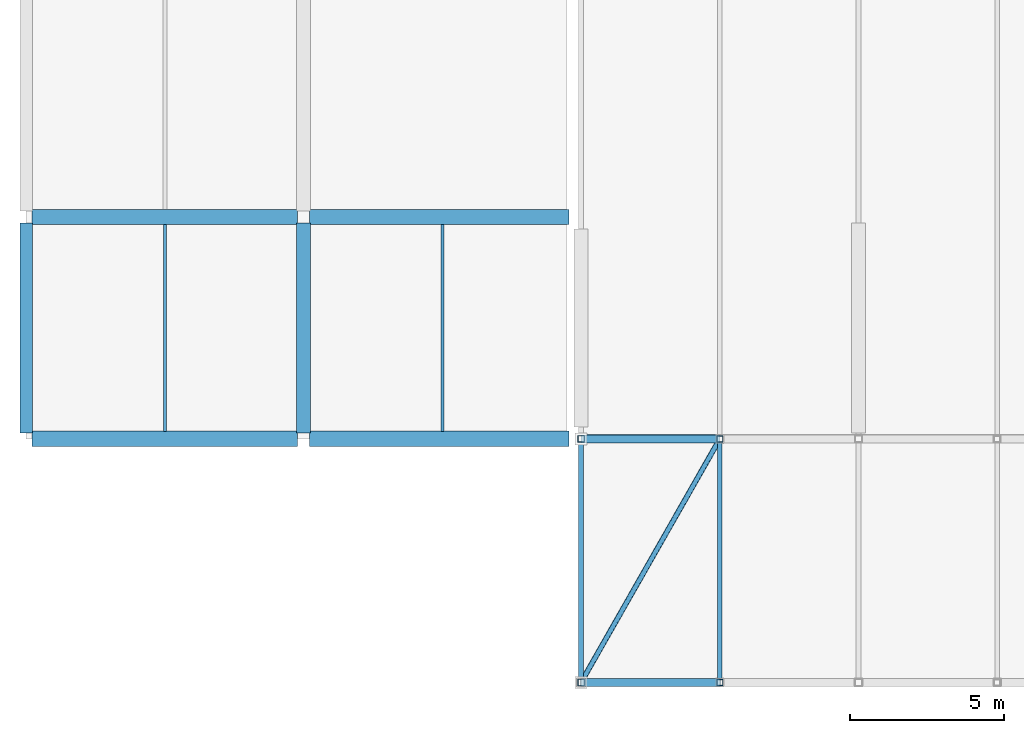
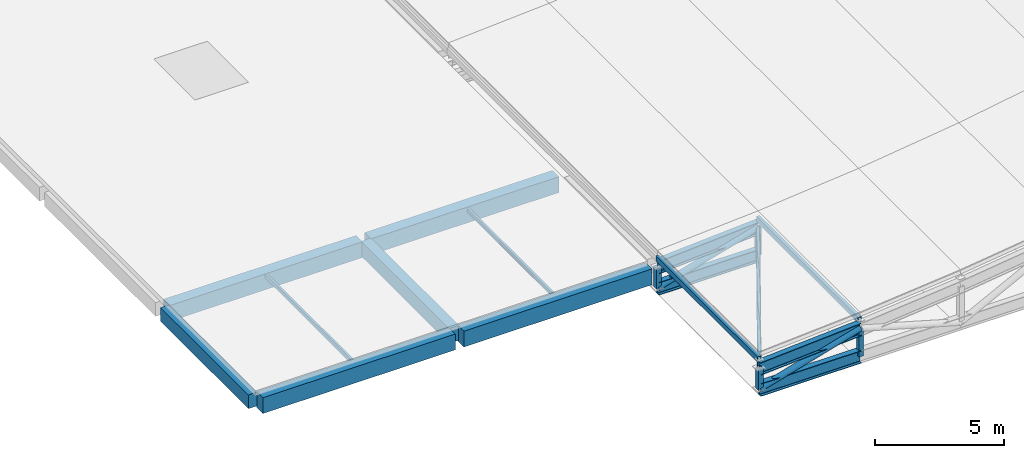
# One storey, part 1 of 24: 12 beams, 9 members.
"""IFC4 building model written with IfcOpenShell, lengths in metres."""

from ifc_helpers import new_model, si_unit, direction, frame, origin, origin_2d, place, context, subcontext, project, spatial, rectangle, hollow_rectangle, hollow_circle, i_section, extrude, material, material_profile, profile_set, type_object, element, save


model = new_model("IFC4")

# Units and contexts
model_context = context("Model", 3, precision=1e-05, world=origin(), true_north=direction((0.0, 1.0)))
body_context = subcontext(model_context, "Body", "Model", "MODEL_VIEW")
ifc_project = project(units=[si_unit("LENGTHUNIT", "METRE"), si_unit("AREAUNIT", "SQUARE_METRE"), si_unit("VOLUMEUNIT", "CUBIC_METRE"), si_unit("PLANEANGLEUNIT", "RADIAN"), si_unit("MASSUNIT", "GRAM", prefix="KILO"), si_unit("THERMODYNAMICTEMPERATUREUNIT", "KELVIN"), si_unit("POWERUNIT", "WATT")], contexts=[model_context])

# Site, building, storey
site_placement = place(None, origin())
site = spatial("IfcSite", under=ifc_project, at=site_placement, CompositionType="ELEMENT")
building_placement = place(site_placement, origin())
building = spatial("IfcBuilding", under=site, at=building_placement, Name="Sindhuravela Promenade Stadium", CompositionType="ELEMENT")
storey_placement = place(building_placement, frame((0.0, 0.0, 28.800048828125)))
storey = spatial("IfcBuildingStorey", under=building, at=storey_placement, Name="RF", CompositionType="ELEMENT", Elevation=28.800048828125)

# Beams
ifc_material_1 = material(Name="Concrete M40", Category="concrete")
ifc_material_profile_1 = material_profile(ifc_material_1, rectangle(XDim=0.39990234375, YDim=0.64990234375, at=origin_2d()), Name="RC 400x650")
ifc_profile_set_1 = profile_set([ifc_material_profile_1], Name="Concrete M40")
beam_type_1 = type_object("IfcBeamType", Name="RC-BM-400x650", PredefinedType="SPANDREL", material=ifc_profile_set_1)
beam_1_placement = place(storey_placement, frame((0.0, 45.193115234375, -0.56494140625), z_axis=(0.0, 1.0, 0.0), x_axis=(-1.0, 0.0, 0.0)))
element("IfcBeam", 1, at=beam_1_placement, inside=storey, type_object=beam_type_1, Name="Primary beam SP01 WEST RF", PredefinedType="SPANDREL", context=body_context, shape_type="SweptSolid", body=[
    extrude(rectangle(XDim=0.39990234375, YDim=0.64990234375, at=origin_2d()), origin(), (0.0, 0.0, 1.0), 6.813720703125),
])
ifc_material_profile_2 = material_profile(ifc_material_1, rectangle(XDim=0.449951171875, YDim=0.699951171875, at=origin_2d()), Name="RC 450x700")
ifc_profile_set_2 = profile_set([ifc_material_profile_2], Name="Concrete M40")
beam_type_2 = type_object("IfcBeamType", Name="RC-BM-450x700", PredefinedType="BEAM", material=ifc_profile_set_2)
beam_2_placement = place(storey_placement, frame((9.0, 45.193115234375, -0.590087890625), z_axis=(0.0, 1.0, 0.0), x_axis=(-1.0, 0.0, 0.0)))
element("IfcBeam", 2, at=beam_2_placement, inside=storey, type_object=beam_type_2, Name="Primary beam GB07 WEST RF", PredefinedType="BEAM", context=body_context, shape_type="SweptSolid", body=[
    extrude(rectangle(XDim=0.449951171875, YDim=0.699951171875, at=origin_2d()), origin(), (0.0, 0.0, 1.0), 6.813720703125),
])
ifc_material_profile_3 = material_profile(ifc_material_1, rectangle(XDim=0.5, YDim=0.75, at=origin_2d()), Name="RC 500x750")
ifc_profile_set_3 = profile_set([ifc_material_profile_3], Name="Concrete M40")
beam_type_3 = type_object("IfcBeamType", Name="RC-BM-500x750", PredefinedType="BEAM", material=ifc_profile_set_3)
beam_3_placement = place(storey_placement, frame((0.193115234375, 45.0, -0.614990234375), z_axis=(1.0, 0.0, 0.0), x_axis=(0.0, 1.0, 0.0)))
element("IfcBeam", 3, at=beam_3_placement, inside=storey, type_object=beam_type_3, Name="Primary girder GB06 WEST RF", PredefinedType="BEAM", context=body_context, shape_type="SweptSolid", body=[
    extrude(rectangle(XDim=0.5, YDim=0.75, at=origin_2d()), origin(), (0.0, 0.0, 1.0), 8.61376953125),
])
beam_4_placement = place(storey_placement, frame((9.193115234375, 45.0, -0.614990234375), z_axis=(1.0, 0.0, 0.0), x_axis=(0.0, 1.0, 0.0)))
element("IfcBeam", 4, at=beam_4_placement, inside=storey, type_object=beam_type_3, Name="Primary girder GB06 WEST RF", PredefinedType="BEAM", context=body_context, shape_type="SweptSolid", body=[
    extrude(rectangle(XDim=0.5, YDim=0.75, at=origin_2d()), origin(), (0.0, 0.0, 1.0), 8.4169921875),
])
beam_5_placement = place(storey_placement, frame((0.193115234375, 52.199951171875, -0.614990234375), z_axis=(1.0, 0.0, 0.0), x_axis=(0.0, 1.0, 0.0)))
element("IfcBeam", 5, at=beam_5_placement, inside=storey, type_object=beam_type_3, Name="Primary girder GB06 WEST RF", PredefinedType="BEAM", context=body_context, shape_type="SweptSolid", body=[
    extrude(rectangle(XDim=0.5, YDim=0.75, at=origin_2d()), origin(), (0.0, 0.0, 1.0), 8.61376953125),
])
beam_6_placement = place(storey_placement, frame((9.193115234375, 52.199951171875, -0.614990234375), z_axis=(1.0, 0.0, 0.0), x_axis=(0.0, 1.0, 0.0)))
element("IfcBeam", 6, at=beam_6_placement, inside=storey, type_object=beam_type_3, Name="Primary girder GB06 WEST RF", PredefinedType="BEAM", context=body_context, shape_type="SweptSolid", body=[
    extrude(rectangle(XDim=0.5, YDim=0.75, at=origin_2d()), origin(), (0.0, 0.0, 1.0), 8.4169921875),
])
ifc_material_2 = material(Name="Steel E350 (IS 2062 E350BR)", Category="steel")
ifc_material_profile_4 = material_profile(ifc_material_2, hollow_rectangle(XDim=0.10009765625, YDim=0.199951171875, WallThickness=0.008056640625, at=origin_2d()), Name="RHS 200x100x8")
ifc_profile_set_4 = profile_set([ifc_material_profile_4], Name="Steel E350 (IS 2062 E350BR)")
beam_type_4 = type_object("IfcBeamType", Name="ST-BM-LNT200", PredefinedType="LINTEL", material=ifc_profile_set_4)
beam_7_placement = place(storey_placement, frame((4.5, 45.239990234375, -0.340087890625), z_axis=(0.0, 1.0, 0.0), x_axis=(-1.0, 0.0, 0.0)))
element("IfcBeam", 7, at=beam_7_placement, inside=storey, type_object=beam_type_4, Name="Secondary floor joist LN01 WEST RF", PredefinedType="LINTEL", context=body_context, shape_type="SweptSolid", body=[
    extrude(hollow_rectangle(XDim=0.10009765625, YDim=0.199951171875, WallThickness=0.008056640625, at=origin_2d()), origin(), (0.0, 0.0, 1.0), 6.719970703125),
])
ifc_material_profile_5 = material_profile(ifc_material_2, i_section(OverallWidth=0.10009765625, OverallDepth=0.199951171875, WebThickness=0.005615234375, FlangeThickness=0.0107421875, FilletRadius=0.010986328125, at=origin_2d()), Name="ISMB 200")
ifc_profile_set_5 = profile_set([ifc_material_profile_5], Name="Steel E350 (IS 2062 E350BR)")
beam_type_5 = type_object("IfcBeamType", Name="ST-BM-MB200", PredefinedType="JOIST", material=ifc_profile_set_5)
beam_8_placement = place(storey_placement, frame((13.5, 45.239990234375, -0.340087890625), z_axis=(0.0, 1.0, 0.0), x_axis=(-1.0, 0.0, 0.0)))
element("IfcBeam", 8, at=beam_8_placement, inside=storey, type_object=beam_type_5, Name="Secondary floor joist SB01 WEST RF", PredefinedType="JOIST", context=body_context, shape_type="SweptSolid", body=[
    extrude(i_section(OverallWidth=0.10009765625, OverallDepth=0.199951171875, WebThickness=0.005615234375, FlangeThickness=0.0107421875, FilletRadius=0.010986328125, at=origin_2d()), origin(), (0.0, 0.0, 1.0), 6.719970703125),
])
ifc_material_profile_6 = material_profile(ifc_material_2, i_section(OverallWidth=0.25, OverallDepth=0.60009765625, WebThickness=0.01171875, FlangeThickness=0.023681640625, FilletRadius=0.01708984375, at=origin_2d()), Name="ISWB 600")
ifc_profile_set_6 = profile_set([ifc_material_profile_6], Name="Steel E350 (IS 2062 E350BR)")
beam_type_6 = type_object("IfcBeamType", Name="ST-BM-WB600", PredefinedType="USERDEFINED", material=ifc_profile_set_6)
beam_9_placement = place(storey_placement, frame((18.0, 37.10009765625, -0.400146484375), z_axis=(0.9978804116779728, 0.0, 0.06507444958967683), x_axis=(0.0, 1.0, 0.0)))
element("IfcBeam", 9, at=beam_9_placement, inside=storey, type_object=beam_type_6, Name="Roof truss RT-W01 top chord 1", ObjectType="ROOF TRUSS", PredefinedType="USERDEFINED", context=body_context, shape_type="SweptSolid", body=[
    extrude(i_section(OverallWidth=0.25, OverallDepth=0.60009765625, WebThickness=0.01171875, FlangeThickness=0.023681640625, FilletRadius=0.01708984375, at=origin_2d()), origin(), (0.0, 0.0, 1.0), 4.509521484375),
])
beam_10_placement = place(storey_placement, frame((18.0, 37.10009765625, -1.400146484375), z_axis=(1.0, 0.0, 0.0), x_axis=(0.0, 1.0, 0.0)))
element("IfcBeam", 10, at=beam_10_placement, inside=storey, type_object=beam_type_6, Name="Roof truss RT-W01 bottom chord 1", ObjectType="ROOF TRUSS", PredefinedType="USERDEFINED", context=body_context, shape_type="SweptSolid", body=[
    extrude(i_section(OverallWidth=0.25, OverallDepth=0.60009765625, WebThickness=0.01171875, FlangeThickness=0.023681640625, FilletRadius=0.01708984375, at=origin_2d()), origin(), (0.0, 0.0, 1.0), 4.5),
])
beam_11_placement = place(storey_placement, frame((18.0, 45.0, -0.400146484375), z_axis=(0.9978804116779728, 0.0, 0.06507444958967683), x_axis=(0.0, 1.0, 0.0)))
element("IfcBeam", 11, at=beam_11_placement, inside=storey, type_object=beam_type_6, Name="Roof truss RT-W02 top chord 1", ObjectType="ROOF TRUSS", PredefinedType="USERDEFINED", context=body_context, shape_type="SweptSolid", body=[
    extrude(i_section(OverallWidth=0.25, OverallDepth=0.60009765625, WebThickness=0.01171875, FlangeThickness=0.023681640625, FilletRadius=0.01708984375, at=origin_2d()), origin(), (0.0, 0.0, 1.0), 4.509521484375),
])
beam_12_placement = place(storey_placement, frame((18.0, 45.0, -1.400146484375), z_axis=(1.0, 0.0, 0.0), x_axis=(0.0, 1.0, 0.0)))
element("IfcBeam", 12, at=beam_12_placement, inside=storey, type_object=beam_type_6, Name="Roof truss RT-W02 bottom chord 1", ObjectType="ROOF TRUSS", PredefinedType="USERDEFINED", context=body_context, shape_type="SweptSolid", body=[
    extrude(i_section(OverallWidth=0.25, OverallDepth=0.60009765625, WebThickness=0.01171875, FlangeThickness=0.023681640625, FilletRadius=0.01708984375, at=origin_2d()), origin(), (0.0, 0.0, 1.0), 4.5),
])

# Members
ifc_material_profile_7 = material_profile(ifc_material_2, hollow_circle(Radius=0.084228515625, WallThickness=0.008056640625, at=origin_2d()), Name="CHS 168.3x8")
ifc_profile_set_7 = profile_set([ifc_material_profile_7], Name="Steel E350 (IS 2062 E350BR)")
member_type_1 = type_object("IfcMemberType", Name="ST-MB-CHS168", PredefinedType="BRACE", material=ifc_profile_set_7)
member_placement = place(storey_placement, frame((18.0, 37.10009765625, -0.400146484375), z_axis=(0.49470095801059943, 0.86846427947629, 0.032260772109849206), x_axis=(-0.8689165628650795, 0.4949585909737667, 0.0)))
element("IfcMember", 13, at=member_placement, inside=storey, type_object=member_type_1, Name="Roof wind brace MB03 W bay 1", PredefinedType="BRACE", context=body_context, shape_type="SweptSolid", body=[
    extrude(hollow_circle(Radius=0.084228515625, WallThickness=0.008056640625, at=origin_2d()), origin(), (0.0, 0.0, 1.0), 9.096435546875),
])
ifc_material_profile_8 = material_profile(ifc_material_2, hollow_circle(Radius=0.136474609375, WallThickness=0.010009765625, at=origin_2d()), Name="CHS 273.0x10")
ifc_profile_set_8 = profile_set([ifc_material_profile_8], Name="Steel E350 (IS 2062 E350BR)")
member_type_2 = type_object("IfcMemberType", Name="ST-MB-CHS273", PredefinedType="BRACE", material=ifc_profile_set_8)
for number, where, z_axis, x_axis, name in (
    (14, (18.0, 37.10009765625, -1.400146484375), (0.9610859178775457, 0.0, 0.2762496306920159), (0.0, 1.0, 0.0), "Roof truss RT-W01 diagonal web 1"),
    (15, (18.0, 45.0, -1.400146484375), (0.9610859178775457, 0.0, 0.2762496306920159), (0.0, 1.0, 0.0), "Roof truss RT-W02 diagonal web 1"),
):
    element("IfcMember", number, at=place(storey_placement, frame(where, z_axis=z_axis, x_axis=x_axis)), inside=storey, type_object=member_type_2, Name=name, PredefinedType="BRACE", context=body_context, shape_type="SweptSolid", body=[
        extrude(hollow_circle(Radius=0.136474609375, WallThickness=0.010009765625, at=origin_2d()), origin(), (0.0, 0.0, 1.0), 4.68212890625),
    ])
ifc_material_profile_9 = material_profile(ifc_material_2, hollow_rectangle(XDim=0.14990234375, YDim=0.25, WallThickness=0.010009765625, at=origin_2d()), Name="RHS 250x150x10")
ifc_profile_set_9 = profile_set([ifc_material_profile_9], Name="Steel E350 (IS 2062 E350BR)")
member_type_3 = type_object("IfcMemberType", Name="ST-MB-RHS250", PredefinedType="PURLIN", material=ifc_profile_set_9)
for number, where, z_axis, x_axis, name in (
    (16, (18.0, 37.10009765625, -0.008056640625), (0.0, 1.0, 0.0), (-1.0, 0.0, 0.0), "Roof purlin PR01 W bay 1.1"),
    (17, (22.5, 37.10009765625, 0.28515625), (0.0, 1.0, 0.0), (-1.0, 0.0, 0.0), "Roof purlin PR01 W bay 1.2"),
):
    element("IfcMember", number, at=place(storey_placement, frame(where, z_axis=z_axis, x_axis=x_axis)), inside=storey, type_object=member_type_3, Name=name, PredefinedType="PURLIN", context=body_context, shape_type="SweptSolid", body=[
        extrude(hollow_rectangle(XDim=0.14990234375, YDim=0.25, WallThickness=0.010009765625, at=origin_2d()), origin(), (0.0, 0.0, 1.0), 7.89990234375),
    ])
ifc_material_profile_10 = material_profile(ifc_material_2, hollow_rectangle(XDim=0.199951171875, YDim=0.199951171875, WallThickness=0.010009765625, at=origin_2d()), Name="SHS 200x200x10")
ifc_profile_set_10 = profile_set([ifc_material_profile_10], Name="Steel E350 (IS 2062 E350BR)")
member_type_4 = type_object("IfcMemberType", Name="ST-MB-SHS200", PredefinedType="POST", material=ifc_profile_set_10)
for number, where, z_axis, x_axis, name in (
    (18, (22.5, 37.10009765625, -1.400146484375), (0.0, 0.0, 1.0), (1.0, 0.0, 0.0), "Roof truss RT-W01 vertical post 2"),
    (19, (22.5, 45.0, -1.400146484375), (0.0, 0.0, 1.0), (1.0, 0.0, 0.0), "Roof truss RT-W02 vertical post 2"),
):
    element("IfcMember", number, at=place(storey_placement, frame(where, z_axis=z_axis, x_axis=x_axis)), inside=storey, type_object=member_type_4, Name=name, PredefinedType="POST", context=body_context, shape_type="SweptSolid", body=[
        extrude(hollow_rectangle(XDim=0.199951171875, YDim=0.199951171875, WallThickness=0.010009765625, at=origin_2d()), origin(), (0.0, 0.0, 1.0), 1.29345703125),
    ])
ifc_material_profile_11 = material_profile(ifc_material_2, hollow_rectangle(XDim=0.219970703125, YDim=0.219970703125, WallThickness=0.011962890625, at=origin_2d()), Name="SHS 220x220x12")
ifc_profile_set_11 = profile_set([ifc_material_profile_11], Name="Steel E350 (IS 2062 E350BR)")
member_type_5 = type_object("IfcMemberType", Name="ST-MB-SHS220", PredefinedType="POST", material=ifc_profile_set_11)
for number, where, z_axis, x_axis, name in (
    (20, (18.0, 37.10009765625, -1.400146484375), (0.0, 0.0, 1.0), (1.0, 0.0, 0.0), "Roof truss RT-W01 vertical post 1"),
    (21, (18.0, 45.0, -1.400146484375), (0.0, 0.0, 1.0), (1.0, 0.0, 0.0), "Roof truss RT-W02 vertical post 1"),
):
    element("IfcMember", number, at=place(storey_placement, frame(where, z_axis=z_axis, x_axis=x_axis)), inside=storey, type_object=member_type_5, Name=name, PredefinedType="POST", context=body_context, shape_type="SweptSolid", body=[
        extrude(hollow_rectangle(XDim=0.219970703125, YDim=0.219970703125, WallThickness=0.011962890625, at=origin_2d()), origin(), (0.0, 0.0, 1.0), 1.0),
    ])

save(model, "model.ifc")
